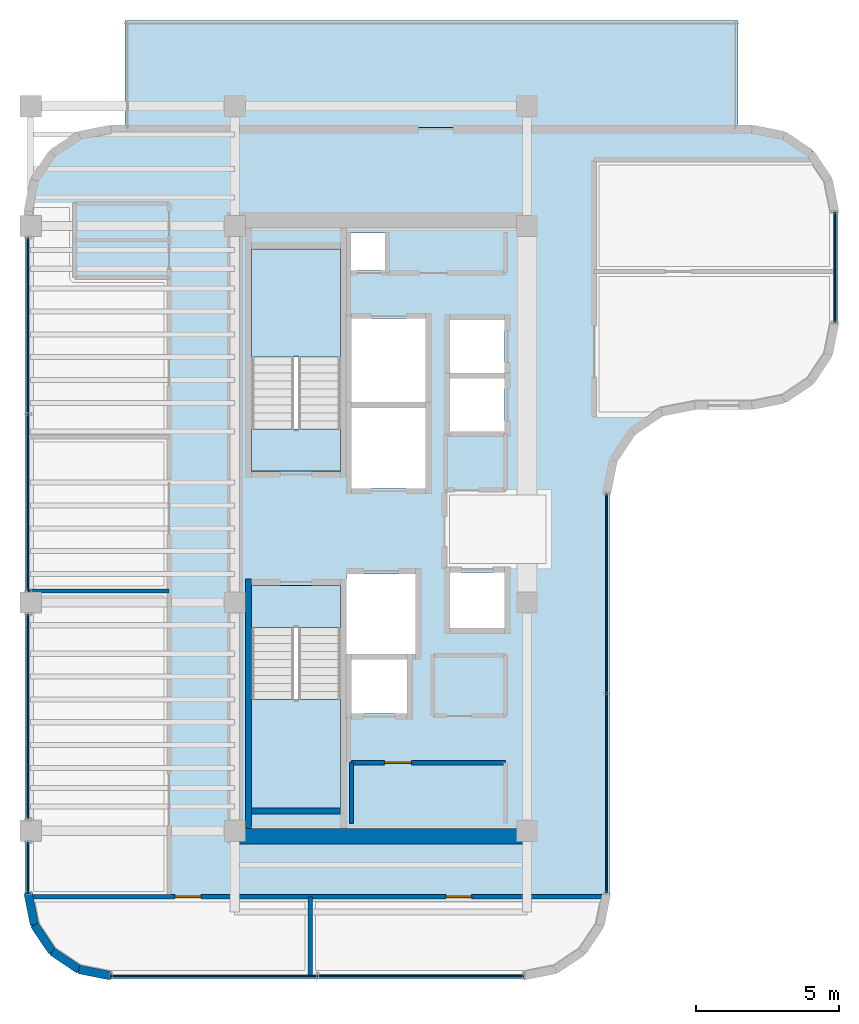
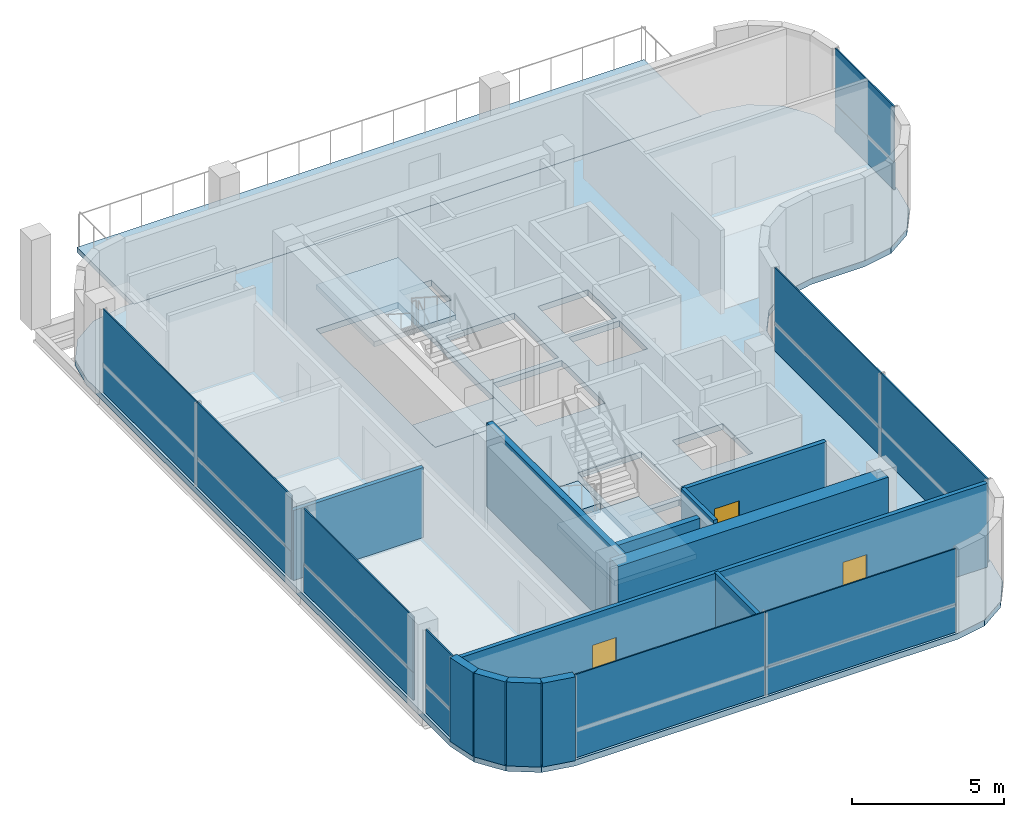
# One storey, part 8 of 13: 15 plates, 12 walls, 6 slabs, 3 doors, 3 openings, 8 elements without a shape of their own.
"""IFC4 building model written with IfcOpenShell, lengths in metres."""

import ifcopenshell
import ifcopenshell.guid

model = None  # the IFC model being written
_history = None  # IfcOwnerHistory: only IFC2X3 demands one
_inside = {}  # id of a spatial element -> (the spatial element, [elements in it])
_under = {}  # id of a project, library or spatial element -> (it, [spatial elements below it])
_declared = {}  # id of a project -> (the project, [libraries it declares])
_typed = {}  # id of a type object -> (the type object, [elements of that type])
_made_of = {}  # id of a material, layer set ... -> (it, [elements and type objects made of it])


def new_model(schema):
    """Start an empty IFC model of exactly this schema.

    Asked for "IFC4X3", IfcOpenShell would pick the latest addendum, in which some entities
    have other attributes; the version numbers below select the first issue.
    IFC2X3 requires an IfcOwnerHistory on every rooted entity: one is made here for all.
    """
    global model, _history
    if schema == "IFC4X3":
        model = ifcopenshell.file(schema_version=(4, 3, 0, 0))
    else:
        model = ifcopenshell.file(schema=schema)
    _inside.clear()
    _under.clear()
    _declared.clear()
    _typed.clear()
    _made_of.clear()
    _history = None
    if model.schema == "IFC2X3":
        org = make("IfcOrganization", Name="unknown")
        user = make(
            "IfcPersonAndOrganization",
            ThePerson=make("IfcPerson", FamilyName="unknown"),
            TheOrganization=org,
        )
        app = make(
            "IfcApplication",
            ApplicationDeveloper=org,
            Version="unknown",
            ApplicationFullName="unknown",
            ApplicationIdentifier="unknown",
        )
        _history = make(
            "IfcOwnerHistory",
            OwningUser=user,
            OwningApplication=app,
            ChangeAction="ADDED",
            CreationDate=0,
        )
    return model


def make(cls, **values):
    """One entity of the class cls with the attributes given. An attribute that is None is left unset."""
    return model.create_entity(
        cls, **{name: value for name, value in values.items() if value is not None}
    )


def rooted(cls, **values):
    """An entity with a GlobalId (a new one), such as an element, a storey or a relation."""
    return make(cls, GlobalId=ifcopenshell.guid.new(), OwnerHistory=_history, **values)


def si_unit(unit_type, name, prefix=None):
    """IfcSIUnit, for example si_unit("LENGTHUNIT", "METRE", prefix="MILLI")."""
    return make("IfcSIUnit", UnitType=unit_type, Prefix=prefix, Name=name)


def assignment(units):
    """IfcUnitAssignment: the units of a project."""
    return None if units is None else make("IfcUnitAssignment", Units=units)


def point(xyz):
    """IfcCartesianPoint."""
    return None if xyz is None else make("IfcCartesianPoint", Coordinates=xyz)


def direction(xyz):
    """IfcDirection."""
    return None if xyz is None else make("IfcDirection", DirectionRatios=xyz)


def frame(location, z_axis=None, x_axis=None):
    """IfcAxis2Placement3D, a coordinate frame: its origin and axes. An axis left out is left unset."""
    return make(
        "IfcAxis2Placement3D",
        Location=point(location),
        Axis=direction(z_axis),
        RefDirection=direction(x_axis),
    )


def frame_2d(location, x_axis=None):
    """IfcAxis2Placement2D, a coordinate frame in the plane: its origin and x axis."""
    return make(
        "IfcAxis2Placement2D", Location=point(location), RefDirection=direction(x_axis)
    )


def origin():
    """The frame at (0, 0, 0) with its axes left unset."""
    return frame((0.0, 0.0, 0.0))


def origin_2d():
    """The frame at (0, 0) in the plane with its x axis left unset."""
    return frame_2d((0.0, 0.0))


def place(relative_to, where):
    """IfcLocalPlacement: puts the frame where relative to a parent placement (None: the world)."""
    return make(
        "IfcLocalPlacement", PlacementRelTo=relative_to, RelativePlacement=where
    )


def context(
    kind, dimensions, precision=None, world=None, true_north=None, identifier=None
):
    """IfcGeometricRepresentationContext, for example the 3D "Model" context."""
    return make(
        "IfcGeometricRepresentationContext",
        ContextIdentifier=identifier,
        ContextType=kind,
        CoordinateSpaceDimension=dimensions,
        Precision=precision,
        WorldCoordinateSystem=world,
        TrueNorth=true_north,
    )


def subcontext(parent, identifier, kind, view, scale=None):
    """IfcGeometricRepresentationSubContext, for example "Body" below "Model"."""
    return make(
        "IfcGeometricRepresentationSubContext",
        ContextIdentifier=identifier,
        ContextType=kind,
        ParentContext=parent,
        TargetScale=scale,
        TargetView=view,
    )


def project(units=None, contexts=None):
    """IfcProject with its units and contexts."""
    return rooted(
        "IfcProject",
        Name="project",
        RepresentationContexts=contexts,
        UnitsInContext=assignment(units),
    )


def spatial(cls, under=None, at=None, **own):
    """A site, building, storey or space (cls), placed at a placement, below another one or the project."""
    s = rooted(cls, ObjectPlacement=at, **own)
    if under is not None:
        _under.setdefault(under.id(), (under, []))[1].append(s)
    return s


def polyline(points):
    """IfcPolyline through the points."""
    return make("IfcPolyline", Points=[point(p) for p in points])


def profile(cls, at=None, kind="AREA", **sizes):
    """A parametric profile (cls). Its sizes go by their IFC names, for example OverallWidth=200.0."""
    return make(cls, ProfileType=kind, Position=at, **sizes)


def rectangle(**sizes):
    """IfcRectangleProfileDef."""
    return profile("IfcRectangleProfileDef", **sizes)


def outline(outer, holes=None, kind="AREA"):
    """IfcArbitraryClosedProfileDef: a profile drawn as a closed curve; with holes, ...WithVoids."""
    if holes is None:
        return make("IfcArbitraryClosedProfileDef", ProfileType=kind, OuterCurve=outer)
    return make(
        "IfcArbitraryProfileDefWithVoids",
        ProfileType=kind,
        OuterCurve=outer,
        InnerCurves=holes,
    )


def extrude(swept, where, along, depth):
    """IfcExtrudedAreaSolid: the profile swept, set in the frame where, extruded along a direction by depth."""
    return make(
        "IfcExtrudedAreaSolid",
        SweptArea=swept,
        Position=where,
        ExtrudedDirection=direction(along),
        Depth=depth,
    )


def shape(context_of_items, identifier, shape_type, items):
    """IfcShapeRepresentation: the items that make up one representation, for example the "Body"."""
    return make(
        "IfcShapeRepresentation",
        ContextOfItems=context_of_items,
        RepresentationIdentifier=identifier,
        RepresentationType=shape_type,
        Items=items,
    )


def source(mapping_origin, context_of_items, identifier, shape_type, items):
    """IfcRepresentationMap: a shape defined once, which mapped items show again and again."""
    return make(
        "IfcRepresentationMap",
        MappingOrigin=mapping_origin,
        MappedRepresentation=shape(context_of_items, identifier, shape_type, items),
    )


def transform(
    local_origin,
    x_axis=None,
    y_axis=None,
    z_axis=None,
    scale=None,
    scale2=None,
    scale3=None,
    uniform=True,
):
    """IfcCartesianTransformationOperator3D, or its non-uniform kind. x_axis, y_axis, z_axis: its Axis1, 2, 3."""
    if uniform:
        return make(
            "IfcCartesianTransformationOperator3D",
            Axis1=direction(x_axis),
            Axis2=direction(y_axis),
            LocalOrigin=point(local_origin),
            Scale=scale,
            Axis3=direction(z_axis),
        )
    return make(
        "IfcCartesianTransformationOperator3DnonUniform",
        Axis1=direction(x_axis),
        Axis2=direction(y_axis),
        LocalOrigin=point(local_origin),
        Scale=scale,
        Axis3=direction(z_axis),
        Scale2=scale2,
        Scale3=scale3,
    )


def mapped(mapping_source, mapping_target):
    """IfcMappedItem: shows the shape of a source again, moved by a transform."""
    return make(
        "IfcMappedItem", MappingSource=mapping_source, MappingTarget=mapping_target
    )


def material(Name=None, Category=None):
    """IfcMaterial."""
    return make("IfcMaterial", Name=Name, Category=Category)


def layer(
    of_material, thickness, ventilated=None, Name=None, Category=None, Priority=None
):
    """IfcMaterialLayer: one layer of a wall or slab, of a material (None: an air gap)."""
    return make(
        "IfcMaterialLayer",
        Material=of_material,
        LayerThickness=thickness,
        IsVentilated=ventilated,
        Name=Name,
        Category=Category,
        Priority=Priority,
    )


def layer_set(layers, Name=None):
    """IfcMaterialLayerSet."""
    return make("IfcMaterialLayerSet", MaterialLayers=layers, LayerSetName=Name)


def made_of(thing, what):
    """Note that an element or type object is made of a material, layer set ...; save() writes the relation."""
    if what is not None:
        _made_of.setdefault(what.id(), (what, []))[1].append(thing)
    return thing


def type_object(cls, material=None, **own):
    """A type object (cls), such as IfcWallType, which elements share."""
    return made_of(rooted(cls, **own), material)


def element(
    cls,
    number,
    at=None,
    inside=None,
    cuts=None,
    type_object=None,
    material=None,
    context=None,
    identifier="Body",
    shape_type=None,
    held_by="IfcProductDefinitionShape",
    body=None,
    shapes=None,
    **own,
):
    """One element of the class cls, such as IfcWall. Its Tag is "e" and its number.

    at: its placement. inside: the storey or other place that contains it. cuts: it is an
    opening in that element (IfcRelVoidsElement). A single representation is given by context,
    identifier, shape_type and body (its items); several are given by shapes. held_by: the class
    of the entity that holds the representations. save() writes the other relations.
    """
    e = rooted(cls, Tag="e%d" % number, ObjectPlacement=at, **own)
    if body is not None:
        shapes = [shape(context, identifier, shape_type, body)]
    if shapes is not None:
        e.Representation = make(held_by, Representations=shapes)
    if inside is not None:
        _inside.setdefault(inside.id(), (inside, []))[1].append(e)
    if cuts is not None:
        rooted(
            "IfcRelVoidsElement", RelatingBuildingElement=cuts, RelatedOpeningElement=e
        )
    if type_object is not None:
        _typed.setdefault(type_object.id(), (type_object, []))[1].append(e)
    return made_of(e, material)


def fill(opening, filler):
    """IfcRelFillsElement: the door or window that sits in an opening."""
    return rooted(
        "IfcRelFillsElement",
        RelatingOpeningElement=opening,
        RelatedBuildingElement=filler,
    )


def aggregate(whole, parts):
    """IfcRelAggregates: a whole, such as a stair, and the parts it consists of."""
    return rooted("IfcRelAggregates", RelatingObject=whole, RelatedObjects=parts)


def save(model, path):
    """Write the relations noted so far, then the file.

    IfcRelAggregates (storeys below a building ...), IfcRelContainedInSpatialStructure (elements
    in a storey), IfcRelDefinesByType, IfcRelAssociatesMaterial and IfcRelDeclares: one each for
    every whole, place, type object, material and project.
    """
    for whole, parts in _under.values():
        aggregate(whole, parts)
    for where, things in _inside.values():
        rooted(
            "IfcRelContainedInSpatialStructure",
            RelatedElements=things,
            RelatingStructure=where,
        )
    for kind, things in _typed.values():
        rooted("IfcRelDefinesByType", RelatedObjects=things, RelatingType=kind)
    for what, things in _made_of.values():
        rooted("IfcRelAssociatesMaterial", RelatedObjects=things, RelatingMaterial=what)
    for by, libraries in _declared.values():
        rooted("IfcRelDeclares", RelatingContext=by, RelatedDefinitions=libraries)
    model.write(path)


model = new_model("IFC4")

# Units and contexts
model_context = context("Model", 3, precision=1e-05, world=origin(), true_north=direction((0.0, 1.0)))
body_context = subcontext(model_context, "Body", "Model", "MODEL_VIEW")
ifc_project = project(units=[si_unit("LENGTHUNIT", "METRE"), si_unit("AREAUNIT", "SQUARE_METRE"), si_unit("VOLUMEUNIT", "CUBIC_METRE"), si_unit("PLANEANGLEUNIT", "RADIAN"), si_unit("MASSUNIT", "GRAM", prefix="KILO")], contexts=[model_context])

# Site, building, storey
site_placement = place(None, origin())
site = spatial("IfcSite", under=ifc_project, at=site_placement, CompositionType="ELEMENT")
building_placement = place(site_placement, origin())
building = spatial("IfcBuilding", under=site, at=building_placement, Name="Valdorenza Pilgrim Sanctuary Tower", CompositionType="ELEMENT")
storey_placement = place(building_placement, frame((0.0, 0.0, 290.60009765625)))
storey = spatial("IfcBuildingStorey", under=building, at=storey_placement, Name="L76", CompositionType="ELEMENT", Elevation=290.60009765625)

# Slab
ifc_material_1 = material(Name="Concrete C40/50", Category="concrete")
ifc_layer_1 = layer(ifc_material_1, 0.239990234375, Name="Concrete C40/50")
ifc_layer_set_1 = layer_set([ifc_layer_1], Name="Concrete C40/50")
slab_type_1 = type_object("IfcSlabType", Name="SLAB-FLR-220", PredefinedType="FLOOR", material=ifc_layer_set_1)
slab_1_placement = place(storey_placement, frame((0.0, 0.0, -0.239990234375)))
element("IfcSlab", 1, at=slab_1_placement, inside=storey, type_object=slab_type_1, Name="L76 Structural Floor Slab 1", PredefinedType="FLOOR", context=body_context, shape_type="SweptSolid", body=[
    extrude(outline(polyline([(-30.0, 11.10009765625), (-29.771484375, 12.248046875), (-29.121337890625, 13.22119140625), (-28.148193359375, 13.87158203125), (-27.0, 14.10009765625), (-4.5, 14.10009765625), (-3.351806640625, 13.87158203125), (-2.378662109375, 13.22119140625), (-1.728515625, 12.248046875), (-1.5, 11.10009765625), (-1.5, 7.199951171875), (-1.728515625, 6.052001953125), (-2.378662109375, 5.07861328125), (-3.351806640625, 4.428466796875), (-4.5, 4.199951171875), (-6.5, 4.199951171875), (-7.648193359375, 3.9716796875), (-8.621337890625, 3.3212890625), (-9.271484375, 2.34814453125), (-9.5, 1.199951171875), (-9.5, -12.800048828125), (-9.728515625, -13.947998046875), (-10.378662109375, -14.92138671875), (-11.351806640625, -15.571533203125), (-12.5, -15.800048828125), (-27.0, -15.800048828125), (-28.148193359375, -15.571533203125), (-29.121337890625, -14.92138671875), (-29.771484375, -13.947998046875), (-30.0, -12.800048828125), (-30.0, 11.10009765625)]), holes=[polyline([(-22.050048828125, -9.800048828125), (-18.93994140625, -9.800048828125), (-18.93994140625, -3.485107421875), (-18.93994140625, -2.0), (-22.050048828125, -2.0), (-22.050048828125, -3.485107421875), (-22.050048828125, -9.800048828125)]), polyline([(-16.60009765625, -6.5), (-16.60009765625, -4.60009765625), (-18.550048828125, -4.60009765625), (-18.550048828125, -6.5), (-16.60009765625, -6.5)]), polyline([(-22.050048828125, 2.0), (-18.93994140625, 2.0), (-18.93994140625, 3.485107421875), (-18.93994140625, 9.800048828125), (-22.050048828125, 9.800048828125), (-22.050048828125, 3.485107421875), (-22.050048828125, 2.0)]), polyline([(-17.360107421875, 9.030029296875), (-17.360107421875, 10.35009765625), (-18.570068359375, 10.35009765625), (-18.570068359375, 9.030029296875), (-17.360107421875, 9.030029296875)]), polyline([(-16.300048828125, -1.60009765625), (-18.719970703125, -1.60009765625), (-18.719970703125, -4.39990234375), (-16.300048828125, -4.39990234375), (-16.300048828125, -1.60009765625)]), polyline([(-13.179931640625, -3.5), (-13.179931640625, -1.550048828125), (-15.10009765625, -1.550048828125), (-15.10009765625, -3.5), (-13.179931640625, -3.5)]), polyline([(-15.949951171875, 1.39990234375), (-15.949951171875, 4.22509765625), (-18.550048828125, 4.22509765625), (-18.550048828125, 1.39990234375), (-15.949951171875, 1.39990234375)]), polyline([(-13.179931640625, 5.25), (-15.10009765625, 5.25), (-15.10009765625, 3.39990234375), (-13.179931640625, 3.39990234375), (-13.179931640625, 5.25)]), polyline([(-15.949951171875, 4.425048828125), (-15.949951171875, 7.35009765625), (-18.550048828125, 7.35009765625), (-18.550048828125, 4.425048828125), (-15.949951171875, 4.425048828125)]), polyline([(-13.179931640625, 5.449951171875), (-13.179931640625, 7.300048828125), (-15.10009765625, 7.300048828125), (-15.10009765625, 5.449951171875), (-13.179931640625, 5.449951171875)])]), origin(), (0.0, 0.0, 1.0), 0.239990234375),
])

# Stair, slab
stair_type = type_object("IfcStairType", Name="STR-DOG-CORE", PredefinedType="HALF_TURN_STAIR", material=ifc_material_1)
stair_1_placement = place(storey_placement, origin())
stair_1 = element("IfcStair", 2, at=stair_1_placement, inside=storey, type_object=stair_type, Name="L76 ST-A1", PredefinedType="HALF_TURN_STAIR")
ifc_layer_2 = layer(ifc_material_1, 0.199951171875, Name="Concrete C40/50")
ifc_layer_set_2 = layer_set([ifc_layer_2], Name="Concrete C40/50")
slab_type_2 = type_object("IfcSlabType", Name="SLAB-STL-200", PredefinedType="LANDING", material=ifc_layer_set_2)
slab_2_placement = place(storey_placement, frame((0.0, 0.0, 1.599853515625)))
slab_2 = element("IfcSlab", 3, at=slab_2_placement, type_object=slab_type_2, Name="ST-A1 landing 1", PredefinedType="LANDING", context=body_context, shape_type="SweptSolid", body=[
    extrude(outline(polyline([(-18.93994140625, 6.0), (-18.93994140625, 9.800048828125), (-22.050048828125, 9.800048828125), (-22.050048828125, 6.0), (-18.93994140625, 6.0)])), origin(), (0.0, 0.0, 1.0), 0.199951171875),
])
aggregate(stair_1, [slab_2])

stair_2_placement = place(storey_placement, origin())
stair_2 = element("IfcStair", 4, at=stair_2_placement, inside=storey, type_object=stair_type, Name="L76 ST-A2", PredefinedType="HALF_TURN_STAIR")
slab_3_placement = place(storey_placement, frame((0.0, 0.0, 1.599853515625)))
slab_3 = element("IfcSlab", 5, at=slab_3_placement, type_object=slab_type_2, Name="ST-A2 landing 1", PredefinedType="LANDING", context=body_context, shape_type="SweptSolid", body=[
    extrude(outline(polyline([(-22.050048828125, -6.0), (-22.050048828125, -9.800048828125), (-18.93994140625, -9.800048828125), (-18.93994140625, -6.0), (-22.050048828125, -6.0)])), origin(), (0.0, 0.0, 1.0), 0.199951171875),
])
aggregate(stair_2, [slab_3])

# Slabs
ifc_layer_3 = layer(ifc_material_1, 0.18994140625, Name="Concrete C40/50")
ifc_layer_set_3 = layer_set([ifc_layer_3], Name="Concrete C40/50")
slab_type_3 = type_object("IfcSlabType", Name="SLAB-TER-190", PredefinedType="FLOOR", material=ifc_layer_set_3)
slab_4_placement = place(storey_placement, frame((0.0, 0.0, -0.190185546875)))
element("IfcSlab", 6, at=slab_4_placement, inside=storey, type_object=slab_type_3, Name="Open Observation Lookout Deck", PredefinedType="FLOOR", context=body_context, shape_type="SweptSolid", body=[
    extrude(outline(polyline([(-26.5, 14.050048828125), (-5.0, 14.050048828125), (-5.0, 17.800048828125), (-26.5, 17.800048828125), (-26.5, 14.050048828125)])), origin(), (0.0, 0.0, 1.0), 0.190185546875),
])
ifc_material_2 = material(Name="Concrete C50/60", Category="concrete")
ifc_layer_4 = layer(ifc_material_2, 0.39990234375, Name="Concrete C50/60")
ifc_layer_set_4 = layer_set([ifc_layer_4], Name="Concrete C50/60")
slab_type_4 = type_object("IfcSlabType", Name="SLAB-TRF-400", PredefinedType="FLOOR", material=ifc_layer_set_4)
slab_5_placement = place(storey_placement, frame((0.0, 0.0, -0.360107421875)))
element("IfcSlab", 7, at=slab_5_placement, inside=storey, type_object=slab_type_4, Name="L76 ST-A1 Structural Stair Landing Bearing Slab", PredefinedType="FLOOR", context=body_context, shape_type="SweptSolid", body=[
    extrude(outline(polyline([(-22.050048828125, 2.0), (-18.93994140625, 2.0), (-18.93994140625, 3.485107421875), (-22.050048828125, 3.485107421875), (-22.050048828125, 2.0)])), origin(), (0.0, 0.0, 1.0), 0.360107421875),
])
slab_6_placement = place(storey_placement, frame((0.0, 0.0, -0.360107421875)))
element("IfcSlab", 8, at=slab_6_placement, inside=storey, type_object=slab_type_4, Name="L76 ST-A2 Structural Stair Landing Bearing Slab", PredefinedType="FLOOR", context=body_context, shape_type="SweptSolid", body=[
    extrude(outline(polyline([(-22.050048828125, -3.485107421875), (-18.93994140625, -3.485107421875), (-18.93994140625, -2.0), (-22.050048828125, -2.0), (-22.050048828125, -3.485107421875)])), origin(), (0.0, 0.0, 1.0), 0.360107421875),
])

# Curtain wall, plates
ifc_material_3 = material(Name="Curtain-wall IGU glazing", Category="glass")
curtain_wall_type = type_object("IfcCurtainWallType", Name="CW-SYS-04", PredefinedType="NOTDEFINED", material=ifc_material_3)
curtain_wall_1_placement = place(storey_placement, origin())
curtain_wall_1 = element("IfcCurtainWall", 9, at=curtain_wall_1_placement, inside=storey, type_object=curtain_wall_type, Name="L76 Curtain Wall CW-L76-1-1S1", PredefinedType="NOTDEFINED")
ifc_material_4 = material(Name="Honed travertine limestone", Category="masonry")
ifc_layer_5 = layer(ifc_material_4, 0.050048828125, Name="Honed travertine limestone")
ifc_layer_set_5 = layer_set([ifc_layer_5], Name="Honed travertine limestone")
plate_type_1 = type_object("IfcPlateType", Name="CW-SPN-TRV", PredefinedType="USERDEFINED", material=ifc_layer_set_5)
shared_shape_1 = source(origin(), body_context, "Body", "SweptSolid", [
    extrude(rectangle(XDim=1.769287109375, YDim=0.06005859375, at=origin_2d()), origin(), (0.0, 0.0, 1.0), 1.10009765625),
])
plate_1_placement = place(storey_placement, frame((-29.889892578125, -11.89453125, 0.009765625), z_axis=(0.0, 0.0, 1.0), x_axis=(0.0, 1.0, 0.0)))
plate_1 = element("IfcPlate", 10, at=plate_1_placement, type_object=plate_type_1, Name="CW-L76-1-1S1 Travertine Spandrel 1", ObjectType="SPANDREL", PredefinedType="USERDEFINED", context=body_context, shape_type="MappedRepresentation", body=[
    mapped(shared_shape_1, transform((0.0, 0.0, 0.0), x_axis=(1.0, 0.0, 0.0), y_axis=(0.0, 1.0, 0.0), z_axis=(0.0, 0.0, 1.0), scale=1.0)),
])
ifc_material_5 = material(Name="Ceramic-fritted low-E IGU glazing", Category="glass")
ifc_layer_6 = layer(ifc_material_5, 0.035888671875, Name="Ceramic-fritted low-E IGU glazing")
ifc_layer_set_6 = layer_set([ifc_layer_6], Name="Ceramic-fritted low-E IGU glazing")
plate_type_2 = type_object("IfcPlateType", Name="CW-GLZ-IGU", PredefinedType="USERDEFINED", material=ifc_layer_set_6)
shared_shape_2 = source(origin(), body_context, "Body", "SweptSolid", [
    extrude(rectangle(XDim=1.769287109375, YDim=0.050048828125, at=origin_2d()), origin(), (0.0, 0.0, 1.0), 2.219970703125),
])
plate_2_placement = place(storey_placement, frame((-29.889892578125, -11.89453125, 1.1298828125), z_axis=(0.0, 0.0, 1.0), x_axis=(0.0, 1.0, 0.0)))
plate_2 = element("IfcPlate", 11, at=plate_2_placement, type_object=plate_type_2, Name="CW-L76-1-1S1 Facade Panel 1", ObjectType="GLAZING", PredefinedType="USERDEFINED", context=body_context, shape_type="MappedRepresentation", body=[
    mapped(shared_shape_2, transform((0.0, 0.0, 0.0), x_axis=(1.0, 0.0, 0.0), y_axis=(0.0, 1.0, 0.0), z_axis=(0.0, 0.0, 1.0), scale=1.0)),
])
aggregate(curtain_wall_1, [plate_1, plate_2])

curtain_wall_2_placement = place(storey_placement, origin())
curtain_wall_2 = element("IfcCurtainWall", 12, at=curtain_wall_2_placement, inside=storey, type_object=curtain_wall_type, Name="L76 Curtain Wall CW-L76-1-1S2", PredefinedType="NOTDEFINED")
shared_shape_3 = source(origin(), body_context, "Body", "SweptSolid", [
    extrude(rectangle(XDim=7.179931640625, YDim=0.06005859375, at=origin_2d()), origin(), (0.0, 0.0, 1.0), 1.10009765625),
])
plate_3_placement = place(storey_placement, frame((-29.889892578125, -6.60009765625, 0.009765625), z_axis=(0.0, 0.0, 1.0), x_axis=(0.0, 1.0, 0.0)))
plate_3 = element("IfcPlate", 13, at=plate_3_placement, type_object=plate_type_1, Name="CW-L76-1-1S2 Travertine Spandrel 1", ObjectType="SPANDREL", PredefinedType="USERDEFINED", context=body_context, shape_type="MappedRepresentation", body=[
    mapped(shared_shape_3, transform((0.0, 0.0, 0.0), x_axis=(1.0, 0.0, 0.0), y_axis=(0.0, 1.0, 0.0), z_axis=(0.0, 0.0, 1.0), scale=1.0)),
])
shared_shape_4 = source(origin(), body_context, "Body", "SweptSolid", [
    extrude(rectangle(XDim=7.179931640625, YDim=0.050048828125, at=origin_2d()), origin(), (0.0, 0.0, 1.0), 2.219970703125),
])
plate_4_placement = place(storey_placement, frame((-29.889892578125, -6.60009765625, 1.1298828125), z_axis=(0.0, 0.0, 1.0), x_axis=(0.0, 1.0, 0.0)))
plate_4 = element("IfcPlate", 14, at=plate_4_placement, type_object=plate_type_2, Name="CW-L76-1-1S2 Facade Panel 1", ObjectType="GLAZING", PredefinedType="USERDEFINED", context=body_context, shape_type="MappedRepresentation", body=[
    mapped(shared_shape_4, transform((0.0, 0.0, 0.0), x_axis=(1.0, 0.0, 0.0), y_axis=(0.0, 1.0, 0.0), z_axis=(0.0, 0.0, 1.0), scale=1.0)),
])
aggregate(curtain_wall_2, [plate_3, plate_4])

curtain_wall_3_placement = place(storey_placement, origin())
curtain_wall_3 = element("IfcCurtainWall", 15, at=curtain_wall_3_placement, inside=storey, type_object=curtain_wall_type, Name="L76 Curtain Wall CW-L76-1-1S3", PredefinedType="NOTDEFINED")
shared_shape_5 = source(origin(), body_context, "Body", "SweptSolid", [
    extrude(rectangle(XDim=6.179931640625, YDim=0.06005859375, at=origin_2d()), origin(), (0.0, 0.0, 1.0), 1.10009765625),
])
plate_5_placement = place(storey_placement, frame((-29.889892578125, 0.89990234375, 0.009765625), z_axis=(0.0, 0.0, 1.0), x_axis=(0.0, 1.0, 0.0)))
plate_5 = element("IfcPlate", 16, at=plate_5_placement, type_object=plate_type_1, Name="CW-L76-1-1S3 Travertine Spandrel 1", ObjectType="SPANDREL", PredefinedType="USERDEFINED", context=body_context, shape_type="MappedRepresentation", body=[
    mapped(shared_shape_5, transform((0.0, 0.0, 0.0), x_axis=(1.0, 0.0, 0.0), y_axis=(0.0, 1.0, 0.0), z_axis=(0.0, 0.0, 1.0), scale=1.0)),
])
shared_shape_6 = source(origin(), body_context, "Body", "SweptSolid", [
    extrude(rectangle(XDim=6.179931640625, YDim=0.050048828125, at=origin_2d()), origin(), (0.0, 0.0, 1.0), 2.219970703125),
])
plate_6_placement = place(storey_placement, frame((-29.889892578125, 0.89990234375, 1.1298828125), z_axis=(0.0, 0.0, 1.0), x_axis=(0.0, 1.0, 0.0)))
plate_6 = element("IfcPlate", 17, at=plate_6_placement, type_object=plate_type_2, Name="CW-L76-1-1S3 Facade Panel 1", ObjectType="GLAZING", PredefinedType="USERDEFINED", context=body_context, shape_type="MappedRepresentation", body=[
    mapped(shared_shape_6, transform((0.0, 0.0, 0.0), x_axis=(1.0, 0.0, 0.0), y_axis=(0.0, 1.0, 0.0), z_axis=(0.0, 0.0, 1.0), scale=1.0)),
])
shared_shape_7 = source(origin(), body_context, "Body", "SweptSolid", [
    extrude(rectangle(XDim=6.179931640625, YDim=0.050048828125, at=origin_2d()), origin(), (0.0, 0.0, 1.0), 3.340087890625),
])
plate_7_placement = place(storey_placement, frame((-29.889892578125, 7.10009765625, 0.009765625), z_axis=(0.0, 0.0, 1.0), x_axis=(0.0, 1.0, 0.0)))
plate_7 = element("IfcPlate", 18, at=plate_7_placement, type_object=plate_type_2, Name="CW-L76-1-1S3 Full-Height Facade Panel 2", ObjectType="GLAZING", PredefinedType="USERDEFINED", context=body_context, shape_type="MappedRepresentation", body=[
    mapped(shared_shape_7, transform((0.0, 0.0, 0.0), x_axis=(1.0, 0.0, 0.0), y_axis=(0.0, 1.0, 0.0), z_axis=(0.0, 0.0, 1.0), scale=1.0)),
])
aggregate(curtain_wall_3, [plate_5, plate_6, plate_7])

curtain_wall_4_placement = place(storey_placement, origin())
curtain_wall_4 = element("IfcCurtainWall", 19, at=curtain_wall_4_placement, inside=storey, type_object=curtain_wall_type, Name="L76 Curtain Wall CW-L76-1-11", PredefinedType="NOTDEFINED")
shared_shape_8 = source(origin(), body_context, "Body", "SweptSolid", [
    extrude(rectangle(XDim=3.8583984375, YDim=0.06005859375, at=origin_2d()), origin(), (0.0, 0.0, 1.0), 1.10009765625),
])
plate_8_placement = place(storey_placement, frame((-1.610107421875, 9.14990234375, 0.009765625), z_axis=(0.0, 0.0, 1.0), x_axis=(0.0, -1.0, 0.0)))
plate_8 = element("IfcPlate", 20, at=plate_8_placement, type_object=plate_type_1, Name="CW-L76-1-11 Travertine Spandrel 1", ObjectType="SPANDREL", PredefinedType="USERDEFINED", context=body_context, shape_type="MappedRepresentation", body=[
    mapped(shared_shape_8, transform((0.0, 0.0, 0.0), x_axis=(1.0, 0.0, 0.0), y_axis=(0.0, 1.0, 0.0), z_axis=(0.0, 0.0, 1.0), scale=1.0)),
])
shared_shape_9 = source(origin(), body_context, "Body", "SweptSolid", [
    extrude(rectangle(XDim=3.8583984375, YDim=0.050048828125, at=origin_2d()), origin(), (0.0, 0.0, 1.0), 2.219970703125),
])
plate_9_placement = place(storey_placement, frame((-1.610107421875, 9.14990234375, 1.1298828125), z_axis=(0.0, 0.0, 1.0), x_axis=(0.0, -1.0, 0.0)))
plate_9 = element("IfcPlate", 21, at=plate_9_placement, type_object=plate_type_2, Name="CW-L76-1-11 Facade Panel 1", ObjectType="GLAZING", PredefinedType="USERDEFINED", context=body_context, shape_type="MappedRepresentation", body=[
    mapped(shared_shape_9, transform((0.0, 0.0, 0.0), x_axis=(1.0, 0.0, 0.0), y_axis=(0.0, 1.0, 0.0), z_axis=(0.0, 0.0, 1.0), scale=1.0)),
])
aggregate(curtain_wall_4, [plate_8, plate_9])

curtain_wall_5_placement = place(storey_placement, origin())
curtain_wall_5 = element("IfcCurtainWall", 22, at=curtain_wall_5_placement, inside=storey, type_object=curtain_wall_type, Name="L76 Curtain Wall CW-L76-1-21", PredefinedType="NOTDEFINED")
shared_shape_10 = source(origin(), body_context, "Body", "SweptSolid", [
    extrude(rectangle(XDim=6.97998046875, YDim=0.06005859375, at=origin_2d()), origin(), (0.0, 0.0, 1.0), 1.10009765625),
])
plate_10_placement = place(storey_placement, frame((-9.610107421875, -2.289306640625, 0.009765625), z_axis=(0.0, 0.0, 1.0), x_axis=(0.0, -1.0, 0.0)))
plate_10 = element("IfcPlate", 23, at=plate_10_placement, type_object=plate_type_1, Name="CW-L76-1-21 Travertine Spandrel 1", ObjectType="SPANDREL", PredefinedType="USERDEFINED", context=body_context, shape_type="MappedRepresentation", body=[
    mapped(shared_shape_10, transform((0.0, 0.0, 0.0), x_axis=(1.0, 0.0, 0.0), y_axis=(0.0, 1.0, 0.0), z_axis=(0.0, 0.0, 1.0), scale=1.0)),
])
shared_shape_11 = source(origin(), body_context, "Body", "SweptSolid", [
    extrude(rectangle(XDim=6.97998046875, YDim=0.050048828125, at=origin_2d()), origin(), (0.0, 0.0, 1.0), 2.219970703125),
])
plate_11_placement = place(storey_placement, frame((-9.610107421875, -2.289306640625, 1.1298828125), z_axis=(0.0, 0.0, 1.0), x_axis=(0.0, -1.0, 0.0)))
plate_11 = element("IfcPlate", 24, at=plate_11_placement, type_object=plate_type_2, Name="CW-L76-1-21 Facade Panel 1", ObjectType="GLAZING", PredefinedType="USERDEFINED", context=body_context, shape_type="MappedRepresentation", body=[
    mapped(shared_shape_11, transform((0.0, 0.0, 0.0), x_axis=(1.0, 0.0, 0.0), y_axis=(0.0, 1.0, 0.0), z_axis=(0.0, 0.0, 1.0), scale=1.0)),
])
shared_shape_12 = source(origin(), body_context, "Body", "SweptSolid", [
    extrude(rectangle(XDim=6.97998046875, YDim=0.050048828125, at=origin_2d()), origin(), (0.0, 0.0, 1.0), 3.340087890625),
])
plate_12_placement = place(storey_placement, frame((-9.610107421875, -9.289306640625, 0.009765625), z_axis=(0.0, 0.0, 1.0), x_axis=(0.0, -1.0, 0.0)))
plate_12 = element("IfcPlate", 25, at=plate_12_placement, type_object=plate_type_2, Name="CW-L76-1-21 Full-Height Facade Panel 2", ObjectType="GLAZING", PredefinedType="USERDEFINED", context=body_context, shape_type="MappedRepresentation", body=[
    mapped(shared_shape_12, transform((0.0, 0.0, 0.0), x_axis=(1.0, 0.0, 0.0), y_axis=(0.0, 1.0, 0.0), z_axis=(0.0, 0.0, 1.0), scale=1.0)),
])
aggregate(curtain_wall_5, [plate_10, plate_11, plate_12])

curtain_wall_6_placement = place(storey_placement, origin())
curtain_wall_6 = element("IfcCurtainWall", 26, at=curtain_wall_6_placement, inside=storey, type_object=curtain_wall_type, Name="L76 Curtain Wall CW-L76-1-26", PredefinedType="NOTDEFINED")
shared_shape_13 = source(origin(), body_context, "Body", "SweptSolid", [
    extrude(rectangle(XDim=7.21923828125, YDim=0.06005859375, at=origin_2d()), origin(), (0.0, 0.0, 1.0), 1.10009765625),
])
plate_13_placement = place(storey_placement, frame((-16.13037109375, -15.68994140625, 0.009765625), z_axis=(0.0, 0.0, 1.0), x_axis=(-1.0, 0.0, 0.0)))
plate_13 = element("IfcPlate", 27, at=plate_13_placement, type_object=plate_type_1, Name="CW-L76-1-26 Travertine Spandrel 1", ObjectType="SPANDREL", PredefinedType="USERDEFINED", context=body_context, shape_type="MappedRepresentation", body=[
    mapped(shared_shape_13, transform((0.0, 0.0, 0.0), x_axis=(1.0, 0.0, 0.0), y_axis=(0.0, 1.0, 0.0), z_axis=(0.0, 0.0, 1.0), scale=1.0)),
])
shared_shape_14 = source(origin(), body_context, "Body", "SweptSolid", [
    extrude(rectangle(XDim=7.21923828125, YDim=0.050048828125, at=origin_2d()), origin(), (0.0, 0.0, 1.0), 2.219970703125),
])
plate_14_placement = place(storey_placement, frame((-16.13037109375, -15.68994140625, 1.1298828125), z_axis=(0.0, 0.0, 1.0), x_axis=(-1.0, 0.0, 0.0)))
plate_14 = element("IfcPlate", 28, at=plate_14_placement, type_object=plate_type_2, Name="CW-L76-1-26 Facade Panel 1", ObjectType="GLAZING", PredefinedType="USERDEFINED", context=body_context, shape_type="MappedRepresentation", body=[
    mapped(shared_shape_14, transform((0.0, 0.0, 0.0), x_axis=(1.0, 0.0, 0.0), y_axis=(0.0, 1.0, 0.0), z_axis=(0.0, 0.0, 1.0), scale=1.0)),
])
shared_shape_15 = source(origin(), body_context, "Body", "SweptSolid", [
    extrude(rectangle(XDim=7.21923828125, YDim=0.050048828125, at=origin_2d()), origin(), (0.0, 0.0, 1.0), 3.340087890625),
])
plate_15_placement = place(storey_placement, frame((-23.36962890625, -15.68994140625, 0.009765625), z_axis=(0.0, 0.0, 1.0), x_axis=(-1.0, 0.0, 0.0)))
plate_15 = element("IfcPlate", 29, at=plate_15_placement, type_object=plate_type_2, Name="CW-L76-1-26 Full-Height Facade Panel 2", ObjectType="GLAZING", PredefinedType="USERDEFINED", context=body_context, shape_type="MappedRepresentation", body=[
    mapped(shared_shape_15, transform((0.0, 0.0, 0.0), x_axis=(1.0, 0.0, 0.0), y_axis=(0.0, 1.0, 0.0), z_axis=(0.0, 0.0, 1.0), scale=1.0)),
])
aggregate(curtain_wall_6, [plate_13, plate_14, plate_15])

# Wall, opening, door
ifc_material_6 = material(Name="Acoustic twin-stud gypsum partition", Category="gypsum")
ifc_layer_7 = layer(ifc_material_6, 0.159912109375, Name="Acoustic twin-stud gypsum partition")
ifc_layer_set_7 = layer_set([ifc_layer_7], Name="Acoustic twin-stud gypsum partition")
wall_type_1 = type_object("IfcWallType", Name="WAL-COR-160", PredefinedType="PARTITIONING", material=ifc_layer_set_7)
wall_1_placement = place(storey_placement, frame((-18.550048828125, -8.219970703125, 0.0), z_axis=(0.0, 0.0, 1.0), x_axis=(1.0, 0.0, 0.0)))
wall_1 = element("IfcWall", 30, at=wall_1_placement, inside=storey, type_object=wall_type_1, Name="L76 Freed Shaft 1 North Wall", PredefinedType="PARTITIONING", context=body_context, shape_type="SweptSolid", body=[
    extrude(rectangle(XDim=5.400146484375, YDim=0.159912109375, at=frame_2d((2.7001953125, 0.0))), origin(), (0.0, 0.0, 1.0), 3.35986328125),
])
opening_1_placement = place(wall_1_placement, frame((1.14990234375, 0.0, 0.0)))
opening_1 = element("IfcOpeningElement", 31, at=opening_1_placement, cuts=wall_1, Name="Opening DR-UN1", PredefinedType="OPENING", context=body_context, shape_type="SweptSolid", body=[
    extrude(rectangle(XDim=0.949951171875, YDim=2.14990234375, at=frame_2d((0.47509765625, 1.074951171875))), frame((0.0, 0.0947265625, 0.0), z_axis=(0.0, -1.0, 0.0), x_axis=(1.0, 0.0, 0.0)), (0.0, 0.0, 1.0), 0.189697265625),
])
ifc_material_7 = material(Name="Solid-core European oak timber", Category="wood")
door_type_1 = type_object("IfcDoorType", Name="DR-UNIT-950", OperationType="NOTDEFINED", PredefinedType="DOOR", material=ifc_material_7)
door_1_placement = place(opening_1_placement, origin())
door_1 = element("IfcDoor", 32, at=door_1_placement, inside=storey, type_object=door_type_1, Name="L76 Back-of-House Linen Store Door", OperationType="SINGLE_SWING_LEFT", OverallHeight=2.14990234375, OverallWidth=0.949951171875, PredefinedType="DOOR", context=body_context, shape_type="SweptSolid", body=[
    extrude(rectangle(XDim=0.949951171875, YDim=2.14990234375, at=frame_2d((0.47509765625, 1.074951171875))), frame((0.0, 0.02490234375, 0.0), z_axis=(0.0, -1.0, 0.0), x_axis=(1.0, 0.0, 0.0)), (0.0, 0.0, 1.0), 0.050048828125),
])
fill(opening_1, door_1)

# Wall, openings, doors
wall_2_placement = place(storey_placement, frame((-29.736572265625, -12.919921875, 0.0), z_axis=(0.0, 0.0, 1.0), x_axis=(1.0, 0.0, 0.0)))
wall_2 = element("IfcWall", 33, at=wall_2_placement, inside=storey, type_object=wall_type_1, Name="L76 Sky South Salon Wall", PredefinedType="PARTITIONING", context=body_context, shape_type="SweptSolid", body=[
    extrude(rectangle(XDim=19.97314453125, YDim=0.159912109375, at=frame_2d((9.986572265625, 0.0))), origin(), (0.0, 0.0, 1.0), 3.35986328125),
])
opening_2_placement = place(wall_2_placement, frame((5.0, 0.0, 0.0)))
opening_2 = element("IfcOpeningElement", 34, at=opening_2_placement, cuts=wall_2, Name="Opening DR-RM1", PredefinedType="OPENING", context=body_context, shape_type="SweptSolid", body=[
    extrude(rectangle(XDim=0.89990234375, YDim=2.10009765625, at=frame_2d((0.449951171875, 1.050048828125))), frame((0.0, 0.0947265625, 0.0), z_axis=(0.0, -1.0, 0.0), x_axis=(1.0, 0.0, 0.0)), (0.0, 0.0, 1.0), 0.189697265625),
])
opening_3_placement = place(wall_2_placement, frame((14.5, 0.0, 0.0)))
opening_3 = element("IfcOpeningElement", 35, at=opening_3_placement, cuts=wall_2, Name="Opening DR-RM1", PredefinedType="OPENING", context=body_context, shape_type="SweptSolid", body=[
    extrude(rectangle(XDim=0.89990234375, YDim=2.10009765625, at=frame_2d((0.449951171875, 1.050048828125))), frame((0.0, 0.0947265625, 0.0), z_axis=(0.0, -1.0, 0.0), x_axis=(1.0, 0.0, 0.0)), (0.0, 0.0, 1.0), 0.189697265625),
])
door_type_2 = type_object("IfcDoorType", Name="DR-ROOM-900", OperationType="NOTDEFINED", PredefinedType="DOOR", material=ifc_material_7)
door_2_placement = place(opening_2_placement, frame((0.89990234375, 0.0, 0.0), z_axis=(0.0, 0.0, 1.0), x_axis=(-1.0, 0.0, 0.0)))
door_2 = element("IfcDoor", 36, at=door_2_placement, inside=storey, type_object=door_type_2, Name="L76 South West Viewing Salon Door", OperationType="SINGLE_SWING_LEFT", OverallHeight=2.10009765625, OverallWidth=0.89990234375, PredefinedType="DOOR", context=body_context, shape_type="SweptSolid", body=[
    extrude(rectangle(XDim=0.89990234375, YDim=2.10009765625, at=frame_2d((0.449951171875, 1.050048828125))), frame((0.0, 0.02490234375, 0.0), z_axis=(0.0, -1.0, 0.0), x_axis=(1.0, 0.0, 0.0)), (0.0, 0.0, 1.0), 0.050048828125),
])
fill(opening_2, door_2)
door_3_placement = place(opening_3_placement, origin())
door_3 = element("IfcDoor", 37, at=door_3_placement, inside=storey, type_object=door_type_2, Name="L76 South East Reading Lounge Door", OperationType="SINGLE_SWING_RIGHT", OverallHeight=2.10009765625, OverallWidth=0.89990234375, PredefinedType="DOOR", context=body_context, shape_type="SweptSolid", body=[
    extrude(rectangle(XDim=0.89990234375, YDim=2.10009765625, at=frame_2d((0.449951171875, 1.050048828125))), frame((0.0, 0.02490234375, 0.0), z_axis=(0.0, -1.0, 0.0), x_axis=(1.0, 0.0, 0.0)), (0.0, 0.0, 1.0), 0.050048828125),
])
fill(opening_3, door_3)

# Walls
ifc_layer_8 = layer(ifc_material_2, 0.550048828125, Name="Concrete C50/60")
ifc_layer_set_8 = layer_set([ifc_layer_8], Name="Concrete C50/60")
wall_type_2 = type_object("IfcWallType", Name="WAL-COR-550", PredefinedType="SHEAR", material=ifc_layer_set_8)
wall_3_placement = place(storey_placement, frame((-22.64990234375, -10.800048828125, 0.0), z_axis=(0.0, 0.0, 1.0), x_axis=(1.0, 0.0, 0.0)))
element("IfcWall", 38, at=wall_3_placement, inside=storey, type_object=wall_type_2, Name="L76 Split Core A Shear Wall S", PredefinedType="SHEAR", context=body_context, shape_type="SweptSolid", body=[
    extrude(rectangle(XDim=10.25, YDim=0.550048828125, at=frame_2d((5.125, 0.0))), origin(), (0.0, 0.0, 1.0), 3.35986328125),
])
ifc_layer_9 = layer(ifc_material_4, 0.300048828125, Name="Honed travertine limestone")
ifc_layer_set_9 = layer_set([ifc_layer_9], Name="Honed travertine limestone")
wall_type_3 = type_object("IfcWallType", Name="WAL-EXT-300", PredefinedType="SOLIDWALL", material=ifc_layer_set_9)
wall_4_placement = place(storey_placement, frame((-26.9892578125, -15.68994140625, 0.0), z_axis=(0.0, 0.0, 1.0), x_axis=(-0.980794657743, 0.195043173023, 0.0)))
element("IfcWall", 39, at=wall_4_placement, inside=storey, type_object=wall_type_3, Name="L76 Rounded Wind-Corner Stone Pier 27", PredefinedType="SOLIDWALL", context=body_context, shape_type="SweptSolid", body=[
    extrude(rectangle(XDim=1.137939453125, YDim=0.300048828125, at=frame_2d((0.56884765625, 0.0))), origin(), (0.0, 0.0, 1.0), 3.35986328125),
])
for number, where, z_axis, x_axis, name in (
    (40, (-28.105224609375, -15.468017578125, 0.0), (0.0, 0.0, 1.0), (-0.831449735491, 0.555599979619, 0.0), "L76 Rounded Wind-Corner Stone Pier 28"),
    (41, (-29.0419921875, -14.842041015625, 0.0), (0.0, 0.0, 1.0), (-0.555599979619, 0.831449735491, 0.0), "L76 Rounded Wind-Corner Stone Pier 29"),
):
    element("IfcWall", number, at=place(storey_placement, frame(where, z_axis=z_axis, x_axis=x_axis)), inside=storey, type_object=wall_type_3, Name=name, PredefinedType="SOLIDWALL", context=body_context, shape_type="SweptSolid", body=[
        extrude(rectangle(XDim=1.126708984375, YDim=0.300048828125, at=frame_2d((0.5634765625, 0.0))), origin(), (0.0, 0.0, 1.0), 3.35986328125),
    ])
wall_5_placement = place(storey_placement, frame((-29.66796875, -13.9052734375, 0.0), z_axis=(0.0, 0.0, 1.0), x_axis=(-0.195043173023, 0.980794657743, 0.0)))
element("IfcWall", 42, at=wall_5_placement, inside=storey, type_object=wall_type_3, Name="L76 Rounded Wind-Corner Stone Pier 30", PredefinedType="SOLIDWALL", context=body_context, shape_type="SweptSolid", body=[
    extrude(rectangle(XDim=1.137939453125, YDim=0.300048828125, at=frame_2d((0.56884765625, 0.0))), origin(), (0.0, 0.0, 1.0), 3.35986328125),
])
ifc_layer_10 = layer(ifc_material_1, 0.219970703125, Name="Concrete C40/50")
ifc_layer_set_10 = layer_set([ifc_layer_10], Name="Concrete C40/50")
wall_type_4 = type_object("IfcWallType", Name="WAL-STR-SHF-220", PredefinedType="SHEAR", material=ifc_layer_set_10)
wall_6_placement = place(storey_placement, frame((-22.159912109375, -10.52490234375, 0.0), z_axis=(0.0, 0.0, 1.0), x_axis=(0.0, 1.0, 0.0)))
element("IfcWall", 43, at=wall_6_placement, inside=storey, type_object=wall_type_4, Name="L76 ST-A2 Structural Stairwell Wall W", PredefinedType="SHEAR", context=body_context, shape_type="SweptSolid", body=[
    extrude(rectangle(XDim=8.744873046875, YDim=0.219970703125, at=frame_2d((4.37255859375, 0.0))), origin(), (0.0, 0.0, 1.0), 3.35986328125),
])
wall_7_placement = place(storey_placement, frame((-22.050048828125, -9.909912109375, 0.0), z_axis=(0.0, 0.0, 1.0), x_axis=(1.0, 0.0, 0.0)))
element("IfcWall", 44, at=wall_7_placement, inside=storey, type_object=wall_type_4, Name="L76 ST-A2 Structural Stairwell Wall S", PredefinedType="SHEAR", context=body_context, shape_type="SweptSolid", body=[
    extrude(rectangle(XDim=3.110107421875, YDim=0.219970703125, at=frame_2d((1.55517578125, 0.0))), origin(), (0.0, 0.0, 1.0), 3.35986328125),
])
ifc_layer_11 = layer(ifc_material_6, 0.14990234375, Name="Acoustic twin-stud gypsum partition")
ifc_layer_set_11 = layer_set([ifc_layer_11], Name="Acoustic twin-stud gypsum partition")
wall_type_5 = type_object("IfcWallType", Name="WAL-UNT-150", PredefinedType="PARTITIONING", material=ifc_layer_set_11)
wall_8_placement = place(storey_placement, frame((-18.550048828125, -10.35009765625, 0.0), z_axis=(0.0, 0.0, 1.0), x_axis=(0.0, 1.0, 0.0)))
element("IfcWall", 45, at=wall_8_placement, inside=storey, type_object=wall_type_5, Name="L76 Freed Shaft 1 West Wall", PredefinedType="PARTITIONING", context=body_context, shape_type="SweptSolid", body=[
    extrude(rectangle(XDim=2.130126953125, YDim=0.14990234375, at=frame_2d((1.06494140625, 0.0))), origin(), (0.0, 0.0, 1.0), 3.35986328125),
])
wall_9_placement = place(storey_placement, frame((-29.889892578125, -2.199951171875, 0.0), z_axis=(0.0, 0.0, 1.0), x_axis=(1.0, 0.0, 0.0)))
element("IfcWall", 46, at=wall_9_placement, inside=storey, type_object=wall_type_5, Name="L76 Sky West Partition 1", PredefinedType="PARTITIONING", context=body_context, shape_type="SweptSolid", body=[
    extrude(rectangle(XDim=4.93994140625, YDim=0.14990234375, at=frame_2d((2.469970703125, 0.0))), origin(), (0.0, 0.0, 1.0), 2.805908203125),
])
wall_10_placement = place(storey_placement, frame((-20.0, -15.68994140625, 0.0), z_axis=(0.0, 0.0, 1.0), x_axis=(0.0, 1.0, 0.0)))
element("IfcWall", 47, at=wall_10_placement, inside=storey, type_object=wall_type_5, Name="L76 Sky South Split Wall", PredefinedType="PARTITIONING", context=body_context, shape_type="SweptSolid", body=[
    extrude(rectangle(XDim=2.77001953125, YDim=0.14990234375, at=frame_2d((1.385009765625, 0.0))), origin(), (0.0, 0.0, 1.0), 3.35986328125),
])

save(model, "model.ifc")
